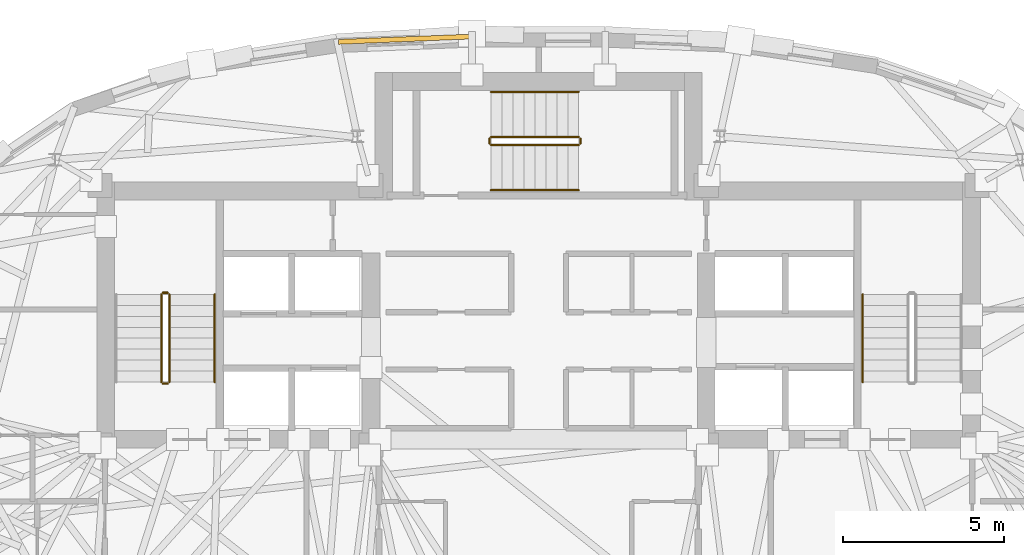
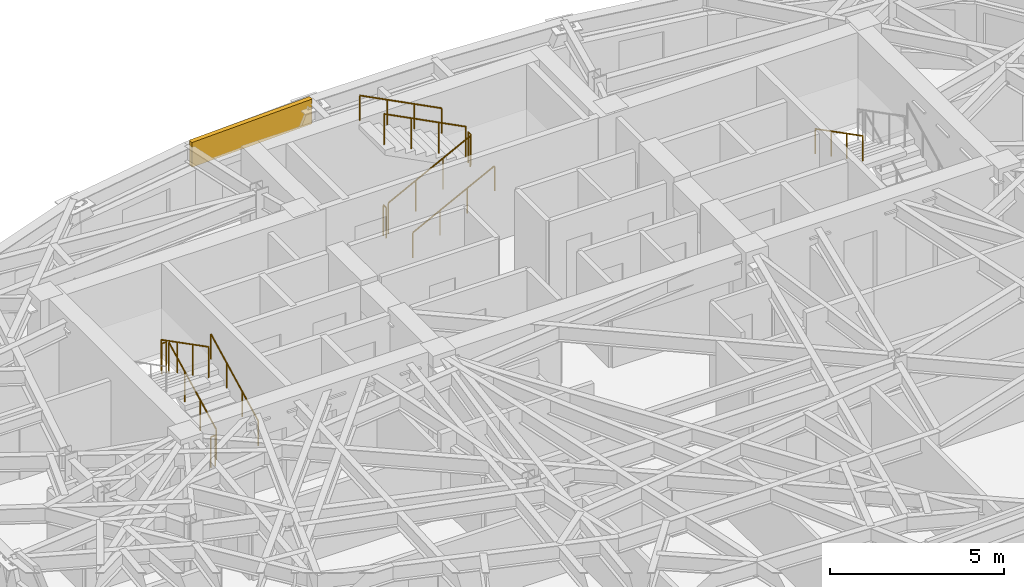
# One storey, part 11 of 12: 12 railings, 1 covering.
"""IFC4 building model written with IfcOpenShell, lengths in metres."""

from ifc_helpers import new_model, si_unit, direction, frame, origin, origin_2d, place, context, subcontext, project, spatial, rectangle, circle, extrude, material, layer, layer_set, type_object, element, save


model = new_model("IFC4")

# Units and contexts
model_context = context("Model", 3, precision=1e-05, world=origin(), true_north=direction((0.0, 1.0)))
body_context = subcontext(model_context, "Body", "Model", "MODEL_VIEW")
ifc_project = project(units=[si_unit("LENGTHUNIT", "METRE"), si_unit("AREAUNIT", "SQUARE_METRE"), si_unit("VOLUMEUNIT", "CUBIC_METRE"), si_unit("PLANEANGLEUNIT", "RADIAN"), si_unit("MASSUNIT", "GRAM", prefix="KILO")], contexts=[model_context])

# Site, building, storey
site_placement = place(None, origin())
site = spatial("IfcSite", under=ifc_project, at=site_placement, CompositionType="ELEMENT")
building_placement = place(site_placement, origin())
building = spatial("IfcBuilding", under=site, at=building_placement, Name="Keldmark Tower", CompositionType="ELEMENT")
storey_placement = place(building_placement, frame((0.0, 0.0, 250.949951171875)))
storey = spatial("IfcBuildingStorey", under=building, at=storey_placement, Name="L71", CompositionType="ELEMENT", Elevation=250.949951171875)

# Covering
ifc_material_1 = material(Name="Honed Kasota Buff Dolomitic Limestone", Category="masonry")
ifc_layer = layer(ifc_material_1, 0.074951171875)
ifc_layer_set = layer_set([ifc_layer], Name="Honed Kasota Buff Dolomitic Limestone")
covering_type = type_object("IfcCoveringType", Name="Kasota Buff Limestone Spandrel Cladding Band", PredefinedType="CLADDING", material=ifc_layer_set)
covering_placement = place(storey_placement, frame((-4.158935546875, 13.982666015625, 2.260009765625), z_axis=(0.0, 0.0, 1.0), x_axis=(-0.999196495041, -0.040079474781, 0.0)))
element("IfcCovering", 1, at=covering_placement, inside=storey, type_object=covering_type, Name="L71 Kasota Limestone Spandrel Band 09", PredefinedType="CLADDING", context=body_context, shape_type="SweptSolid", body=[
    extrude(rectangle(XDim=4.09130859375, YDim=0.14990234375, at=origin_2d()), origin(), (0.0, 0.0, 1.0), 0.8701171875),
])

# Railings
ifc_material_2 = material(Name="Painted Steel ASTM A500 Grade B", Category="steel")
railing_type_1 = type_object("IfcRailingType", Name="Painted Steel Stair Well Guard 1100 mm", PredefinedType="GUARDRAIL", material=ifc_material_2)
railing_1_placement = place(storey_placement, frame((-11.449951171875, 3.35009765625, 0.175048828125)))
element("IfcRailing", 2, at=railing_1_placement, inside=storey, type_object=railing_type_1, Name="L71 ST1 stair guard 1", PredefinedType="GUARDRAIL", context=body_context, shape_type="SweptSolid", body=[
    extrude(circle(Radius=0.02392578125, at=origin_2d()), frame((0.0, 0.0, 1.076171875), z_axis=(0.0, 0.889146794209, 0.457622091194), x_axis=(-1.0, 0.0, 0.0)), (0.0, 0.0, 1.0), 3.05908203125),
    extrude(circle(Radius=0.02099609375, at=origin_2d()), origin(), (0.0, 0.0, 1.0), 1.052001953125),
    extrude(circle(Radius=0.02099609375, at=origin_2d()), frame((0.0, 0.90673828125, 0.466552734375)), (0.0, 0.0, 1.0), 1.052001953125),
    extrude(circle(Radius=0.02099609375, at=origin_2d()), frame((0.0, 1.813232421875, 0.933349609375)), (0.0, 0.0, 1.0), 1.052001953125),
    extrude(circle(Radius=0.02099609375, at=origin_2d()), frame((0.0, 2.719970703125, 1.39990234375)), (0.0, 0.0, 1.0), 1.052001953125),
])
railing_2_placement = place(storey_placement, frame((-11.5, 6.1201171875, 1.574951171875)))
element("IfcRailing", 3, at=railing_2_placement, inside=storey, type_object=railing_type_1, Name="L71 ST1 stair guard 2", PredefinedType="GUARDRAIL", context=body_context, shape_type="SweptSolid", body=[
    extrude(circle(Radius=0.02392578125, at=origin_2d()), frame((0.0, 0.0, 1.076171875), z_axis=(-1.0, 0.0, 0.0), x_axis=(0.0, -1.0, 0.0)), (0.0, 0.0, 1.0), 0.14990234375),
    extrude(circle(Radius=0.02099609375, at=origin_2d()), origin(), (0.0, 0.0, 1.0), 1.052001953125),
    extrude(circle(Radius=0.02099609375, at=origin_2d()), frame((-0.14990234375, 0.0, 0.0)), (0.0, 0.0, 1.0), 1.052001953125),
])
railing_3_placement = place(storey_placement, frame((-11.699951171875, 6.070068359375, 1.75)))
element("IfcRailing", 4, at=railing_3_placement, inside=storey, type_object=railing_type_1, Name="L71 ST1 stair guard 3", PredefinedType="GUARDRAIL", context=body_context, shape_type="SweptSolid", body=[
    extrude(circle(Radius=0.02392578125, at=origin_2d()), frame((0.0, 0.0, 1.076171875), z_axis=(0.0, -0.889114319608, 0.457685182924), x_axis=(1.0, 0.0, 0.0)), (0.0, 0.0, 1.0), 3.05908203125),
    extrude(circle(Radius=0.02099609375, at=origin_2d()), origin(), (0.0, 0.0, 1.0), 1.052001953125),
    extrude(circle(Radius=0.02099609375, at=origin_2d()), frame((0.0, -0.90673828125, 0.466796875)), (0.0, 0.0, 1.0), 1.052001953125),
    extrude(circle(Radius=0.02099609375, at=origin_2d()), frame((0.0, -1.813232421875, 0.933349609375)), (0.0, 0.0, 1.0), 1.052001953125),
    extrude(circle(Radius=0.02099609375, at=origin_2d()), frame((0.0, -2.719970703125, 1.400146484375)), (0.0, 0.0, 1.0), 1.052001953125),
])
railing_4_placement = place(storey_placement, frame((-11.5, 3.300048828125, 0.0)))
element("IfcRailing", 5, at=railing_4_placement, inside=storey, type_object=railing_type_1, Name="L71 ST1 stair guard 4", PredefinedType="GUARDRAIL", context=body_context, shape_type="SweptSolid", body=[
    extrude(circle(Radius=0.02392578125, at=origin_2d()), frame((0.0, 0.0, 1.076171875), z_axis=(-1.0, 0.0, 0.0), x_axis=(0.0, -1.0, 0.0)), (0.0, 0.0, 1.0), 0.14990234375),
    extrude(circle(Radius=0.02099609375, at=origin_2d()), origin(), (0.0, 0.0, 1.0), 1.052001953125),
    extrude(circle(Radius=0.02099609375, at=origin_2d()), frame((-0.14990234375, 0.0, 0.0)), (0.0, 0.0, 1.0), 1.052001953125),
])
railing_5_placement = place(storey_placement, frame((-1.47509765625, 10.699951171875, 0.175048828125)))
element("IfcRailing", 6, at=railing_5_placement, inside=storey, type_object=railing_type_1, Name="L71 ST3 stair guard 1", PredefinedType="GUARDRAIL", context=body_context, shape_type="SweptSolid", body=[
    extrude(circle(Radius=0.02392578125, at=origin_2d()), frame((0.0, 0.0, 1.076171875), z_axis=(0.88916350577, 0.0, 0.457589619645), x_axis=(0.0, 1.0, 0.0)), (0.0, 0.0, 1.0), 3.059326171875),
    extrude(circle(Radius=0.02099609375, at=origin_2d()), origin(), (0.0, 0.0, 1.0), 1.052001953125),
    extrude(circle(Radius=0.02099609375, at=origin_2d()), frame((0.90673828125, 0.0, 0.466552734375)), (0.0, 0.0, 1.0), 1.052001953125),
    extrude(circle(Radius=0.02099609375, at=origin_2d()), frame((1.8134765625, 0.0, 0.933349609375)), (0.0, 0.0, 1.0), 1.052001953125),
    extrude(circle(Radius=0.02099609375, at=origin_2d()), frame((2.72021484375, 0.0, 1.39990234375)), (0.0, 0.0, 1.0), 1.052001953125),
])
railing_6_placement = place(storey_placement, frame((1.294921875, 10.75, 1.574951171875)))
element("IfcRailing", 7, at=railing_6_placement, inside=storey, type_object=railing_type_1, Name="L71 ST3 stair guard 2", PredefinedType="GUARDRAIL", context=body_context, shape_type="SweptSolid", body=[
    extrude(circle(Radius=0.02392578125, at=origin_2d()), frame((0.0, 0.0, 1.076171875), z_axis=(0.0, 1.0, 0.0), x_axis=(-1.0, 0.0, 0.0)), (0.0, 0.0, 1.0), 0.14990234375),
    extrude(circle(Radius=0.02099609375, at=origin_2d()), origin(), (0.0, 0.0, 1.0), 1.052001953125),
    extrude(circle(Radius=0.02099609375, at=origin_2d()), frame((0.0, 0.14990234375, 0.0)), (0.0, 0.0, 1.0), 1.052001953125),
])
railing_7_placement = place(storey_placement, frame((1.2451171875, 10.949951171875, 1.75)))
element("IfcRailing", 8, at=railing_7_placement, inside=storey, type_object=railing_type_1, Name="L71 ST3 stair guard 3", PredefinedType="GUARDRAIL", context=body_context, shape_type="SweptSolid", body=[
    extrude(circle(Radius=0.02392578125, at=origin_2d()), frame((0.0, 0.0, 1.076171875), z_axis=(-0.889131035167, 0.0, 0.45765270927), x_axis=(0.0, -1.0, 0.0)), (0.0, 0.0, 1.0), 3.059326171875),
    extrude(circle(Radius=0.02099609375, at=origin_2d()), origin(), (0.0, 0.0, 1.0), 1.052001953125),
    extrude(circle(Radius=0.02099609375, at=origin_2d()), frame((-0.90673828125, 0.0, 0.466796875)), (0.0, 0.0, 1.0), 1.052001953125),
    extrude(circle(Radius=0.02099609375, at=origin_2d()), frame((-1.8134765625, 0.0, 0.933349609375)), (0.0, 0.0, 1.0), 1.052001953125),
    extrude(circle(Radius=0.02099609375, at=origin_2d()), frame((-2.72021484375, 0.0, 1.400146484375)), (0.0, 0.0, 1.0), 1.052001953125),
])
railing_8_placement = place(storey_placement, frame((-1.52490234375, 10.75, 0.0)))
element("IfcRailing", 9, at=railing_8_placement, inside=storey, type_object=railing_type_1, Name="L71 ST3 stair guard 4", PredefinedType="GUARDRAIL", context=body_context, shape_type="SweptSolid", body=[
    extrude(circle(Radius=0.02392578125, at=origin_2d()), frame((0.0, 0.0, 1.076171875), z_axis=(0.0, 1.0, 0.0), x_axis=(-1.0, 0.0, 0.0)), (0.0, 0.0, 1.0), 0.14990234375),
    extrude(circle(Radius=0.02099609375, at=origin_2d()), origin(), (0.0, 0.0, 1.0), 1.052001953125),
    extrude(circle(Radius=0.02099609375, at=origin_2d()), frame((0.0, 0.14990234375, 0.0)), (0.0, 0.0, 1.0), 1.052001953125),
])
ifc_material_3 = material(Name="Stainless Steel AISI 316L", Category="steel")
railing_type_2 = type_object("IfcRailingType", Name="Stainless Steel Stair Handrail 900 mm", PredefinedType="HANDRAIL", material=ifc_material_3)
railing_9_placement = place(storey_placement, frame((-10.050048828125, 3.35009765625, 0.175048828125)))
element("IfcRailing", 10, at=railing_9_placement, inside=storey, type_object=railing_type_2, Name="L71 ST1 stair handrail 1", PredefinedType="HANDRAIL", context=body_context, shape_type="SweptSolid", body=[
    extrude(circle(Radius=0.02392578125, at=origin_2d()), frame((0.0, 0.0, 0.8759765625), z_axis=(0.0, 0.889146794209, 0.457622091194), x_axis=(-1.0, 0.0, 0.0)), (0.0, 0.0, 1.0), 3.05908203125),
    extrude(circle(Radius=0.02099609375, at=origin_2d()), origin(), (0.0, 0.0, 1.0), 0.851806640625),
    extrude(circle(Radius=0.02099609375, at=origin_2d()), frame((0.0, 0.90673828125, 0.466552734375)), (0.0, 0.0, 1.0), 0.851806640625),
    extrude(circle(Radius=0.02099609375, at=origin_2d()), frame((0.0, 1.813232421875, 0.933349609375)), (0.0, 0.0, 1.0), 0.851806640625),
    extrude(circle(Radius=0.02099609375, at=origin_2d()), frame((0.0, 2.719970703125, 1.39990234375)), (0.0, 0.0, 1.0), 0.851806640625),
])
railing_10_placement = place(storey_placement, frame((10.050048828125, 6.070068359375, 1.75)))
element("IfcRailing", 11, at=railing_10_placement, inside=storey, type_object=railing_type_2, Name="L71 ST2 stair handrail 2", PredefinedType="HANDRAIL", context=body_context, shape_type="SweptSolid", body=[
    extrude(circle(Radius=0.02392578125, at=origin_2d()), frame((0.0, 0.0, 0.8759765625), z_axis=(0.0, -0.889114319608, 0.457685182924), x_axis=(1.0, 0.0, 0.0)), (0.0, 0.0, 1.0), 3.05908203125),
    extrude(circle(Radius=0.02099609375, at=origin_2d()), origin(), (0.0, 0.0, 1.0), 0.851806640625),
    extrude(circle(Radius=0.02099609375, at=origin_2d()), frame((0.0, -0.90673828125, 0.466796875)), (0.0, 0.0, 1.0), 0.851806640625),
    extrude(circle(Radius=0.02099609375, at=origin_2d()), frame((0.0, -1.813232421875, 0.933349609375)), (0.0, 0.0, 1.0), 0.851806640625),
    extrude(circle(Radius=0.02099609375, at=origin_2d()), frame((0.0, -2.719970703125, 1.400146484375)), (0.0, 0.0, 1.0), 0.851806640625),
])
railing_11_placement = place(storey_placement, frame((-1.47509765625, 9.300048828125, 0.175048828125)))
element("IfcRailing", 12, at=railing_11_placement, inside=storey, type_object=railing_type_2, Name="L71 ST3 stair handrail 1", PredefinedType="HANDRAIL", context=body_context, shape_type="SweptSolid", body=[
    extrude(circle(Radius=0.02392578125, at=origin_2d()), frame((0.0, 0.0, 0.8759765625), z_axis=(0.88916350577, 0.0, 0.457589619645), x_axis=(0.0, 1.0, 0.0)), (0.0, 0.0, 1.0), 3.059326171875),
    extrude(circle(Radius=0.02099609375, at=origin_2d()), origin(), (0.0, 0.0, 1.0), 0.851806640625),
    extrude(circle(Radius=0.02099609375, at=origin_2d()), frame((0.90673828125, 0.0, 0.466552734375)), (0.0, 0.0, 1.0), 0.851806640625),
    extrude(circle(Radius=0.02099609375, at=origin_2d()), frame((1.8134765625, 0.0, 0.933349609375)), (0.0, 0.0, 1.0), 0.851806640625),
    extrude(circle(Radius=0.02099609375, at=origin_2d()), frame((2.72021484375, 0.0, 1.39990234375)), (0.0, 0.0, 1.0), 0.851806640625),
])
railing_12_placement = place(storey_placement, frame((1.2451171875, 12.35009765625, 1.75)))
element("IfcRailing", 13, at=railing_12_placement, inside=storey, type_object=railing_type_2, Name="L71 ST3 stair handrail 2", PredefinedType="HANDRAIL", context=body_context, shape_type="SweptSolid", body=[
    extrude(circle(Radius=0.02392578125, at=origin_2d()), frame((0.0, 0.0, 0.8759765625), z_axis=(-0.889131035167, 0.0, 0.45765270927), x_axis=(0.0, -1.0, 0.0)), (0.0, 0.0, 1.0), 3.059326171875),
    extrude(circle(Radius=0.02099609375, at=origin_2d()), origin(), (0.0, 0.0, 1.0), 0.851806640625),
    extrude(circle(Radius=0.02099609375, at=origin_2d()), frame((-0.90673828125, 0.0, 0.466796875)), (0.0, 0.0, 1.0), 0.851806640625),
    extrude(circle(Radius=0.02099609375, at=origin_2d()), frame((-1.8134765625, 0.0, 0.933349609375)), (0.0, 0.0, 1.0), 0.851806640625),
    extrude(circle(Radius=0.02099609375, at=origin_2d()), frame((-2.72021484375, 0.0, 1.400146484375)), (0.0, 0.0, 1.0), 0.851806640625),
])

save(model, "model.ifc")
